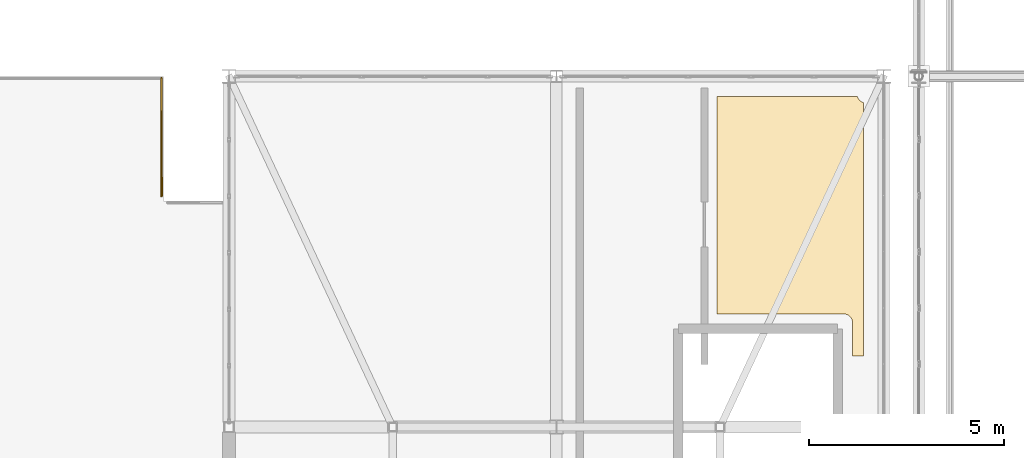
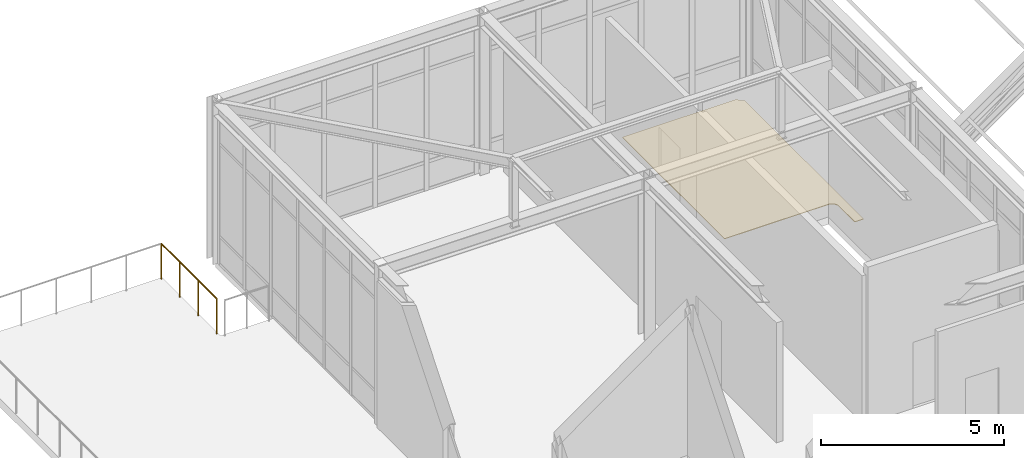
# One storey, part 121 of 121: 1 covering, 1 railing.
"""IFC4 building model written with IfcOpenShell, lengths in metres."""

import ifcopenshell
import ifcopenshell.guid

model = None  # the IFC model being written
_history = None  # IfcOwnerHistory: only IFC2X3 demands one
_inside = {}  # id of a spatial element -> (the spatial element, [elements in it])
_under = {}  # id of a project, library or spatial element -> (it, [spatial elements below it])
_declared = {}  # id of a project -> (the project, [libraries it declares])
_typed = {}  # id of a type object -> (the type object, [elements of that type])
_made_of = {}  # id of a material, layer set ... -> (it, [elements and type objects made of it])


def new_model(schema):
    """Start an empty IFC model of exactly this schema.

    Asked for "IFC4X3", IfcOpenShell would pick the latest addendum, in which some entities
    have other attributes; the version numbers below select the first issue.
    IFC2X3 requires an IfcOwnerHistory on every rooted entity: one is made here for all.
    """
    global model, _history
    if schema == "IFC4X3":
        model = ifcopenshell.file(schema_version=(4, 3, 0, 0))
    else:
        model = ifcopenshell.file(schema=schema)
    _inside.clear()
    _under.clear()
    _declared.clear()
    _typed.clear()
    _made_of.clear()
    _history = None
    if model.schema == "IFC2X3":
        org = make("IfcOrganization", Name="unknown")
        user = make(
            "IfcPersonAndOrganization",
            ThePerson=make("IfcPerson", FamilyName="unknown"),
            TheOrganization=org,
        )
        app = make(
            "IfcApplication",
            ApplicationDeveloper=org,
            Version="unknown",
            ApplicationFullName="unknown",
            ApplicationIdentifier="unknown",
        )
        _history = make(
            "IfcOwnerHistory",
            OwningUser=user,
            OwningApplication=app,
            ChangeAction="ADDED",
            CreationDate=0,
        )
    return model


def make(cls, **values):
    """One entity of the class cls with the attributes given. An attribute that is None is left unset."""
    return model.create_entity(
        cls, **{name: value for name, value in values.items() if value is not None}
    )


def rooted(cls, **values):
    """An entity with a GlobalId (a new one), such as an element, a storey or a relation."""
    return make(cls, GlobalId=ifcopenshell.guid.new(), OwnerHistory=_history, **values)


def si_unit(unit_type, name, prefix=None):
    """IfcSIUnit, for example si_unit("LENGTHUNIT", "METRE", prefix="MILLI")."""
    return make("IfcSIUnit", UnitType=unit_type, Prefix=prefix, Name=name)


def assignment(units):
    """IfcUnitAssignment: the units of a project."""
    return None if units is None else make("IfcUnitAssignment", Units=units)


def point(xyz):
    """IfcCartesianPoint."""
    return None if xyz is None else make("IfcCartesianPoint", Coordinates=xyz)


def direction(xyz):
    """IfcDirection."""
    return None if xyz is None else make("IfcDirection", DirectionRatios=xyz)


def frame(location, z_axis=None, x_axis=None):
    """IfcAxis2Placement3D, a coordinate frame: its origin and axes. An axis left out is left unset."""
    return make(
        "IfcAxis2Placement3D",
        Location=point(location),
        Axis=direction(z_axis),
        RefDirection=direction(x_axis),
    )


def frame_2d(location, x_axis=None):
    """IfcAxis2Placement2D, a coordinate frame in the plane: its origin and x axis."""
    return make(
        "IfcAxis2Placement2D", Location=point(location), RefDirection=direction(x_axis)
    )


def origin():
    """The frame at (0, 0, 0) with its axes left unset."""
    return frame((0.0, 0.0, 0.0))


def origin_2d():
    """The frame at (0, 0) in the plane with its x axis left unset."""
    return frame_2d((0.0, 0.0))


def place(relative_to, where):
    """IfcLocalPlacement: puts the frame where relative to a parent placement (None: the world)."""
    return make(
        "IfcLocalPlacement", PlacementRelTo=relative_to, RelativePlacement=where
    )


def context(
    kind, dimensions, precision=None, world=None, true_north=None, identifier=None
):
    """IfcGeometricRepresentationContext, for example the 3D "Model" context."""
    return make(
        "IfcGeometricRepresentationContext",
        ContextIdentifier=identifier,
        ContextType=kind,
        CoordinateSpaceDimension=dimensions,
        Precision=precision,
        WorldCoordinateSystem=world,
        TrueNorth=true_north,
    )


def subcontext(parent, identifier, kind, view, scale=None):
    """IfcGeometricRepresentationSubContext, for example "Body" below "Model"."""
    return make(
        "IfcGeometricRepresentationSubContext",
        ContextIdentifier=identifier,
        ContextType=kind,
        ParentContext=parent,
        TargetScale=scale,
        TargetView=view,
    )


def project(units=None, contexts=None):
    """IfcProject with its units and contexts."""
    return rooted(
        "IfcProject",
        Name="project",
        RepresentationContexts=contexts,
        UnitsInContext=assignment(units),
    )


def spatial(cls, under=None, at=None, **own):
    """A site, building, storey or space (cls), placed at a placement, below another one or the project."""
    s = rooted(cls, ObjectPlacement=at, **own)
    if under is not None:
        _under.setdefault(under.id(), (under, []))[1].append(s)
    return s


def polyline(points):
    """IfcPolyline through the points."""
    return make("IfcPolyline", Points=[point(p) for p in points])


def profile(cls, at=None, kind="AREA", **sizes):
    """A parametric profile (cls). Its sizes go by their IFC names, for example OverallWidth=200.0."""
    return make(cls, ProfileType=kind, Position=at, **sizes)


def circle(**sizes):
    """IfcCircleProfileDef."""
    return profile("IfcCircleProfileDef", **sizes)


def outline(outer, holes=None, kind="AREA"):
    """IfcArbitraryClosedProfileDef: a profile drawn as a closed curve; with holes, ...WithVoids."""
    if holes is None:
        return make("IfcArbitraryClosedProfileDef", ProfileType=kind, OuterCurve=outer)
    return make(
        "IfcArbitraryProfileDefWithVoids",
        ProfileType=kind,
        OuterCurve=outer,
        InnerCurves=holes,
    )


def extrude(swept, where, along, depth):
    """IfcExtrudedAreaSolid: the profile swept, set in the frame where, extruded along a direction by depth."""
    return make(
        "IfcExtrudedAreaSolid",
        SweptArea=swept,
        Position=where,
        ExtrudedDirection=direction(along),
        Depth=depth,
    )


def shape(context_of_items, identifier, shape_type, items):
    """IfcShapeRepresentation: the items that make up one representation, for example the "Body"."""
    return make(
        "IfcShapeRepresentation",
        ContextOfItems=context_of_items,
        RepresentationIdentifier=identifier,
        RepresentationType=shape_type,
        Items=items,
    )


def material(Name=None, Category=None):
    """IfcMaterial."""
    return make("IfcMaterial", Name=Name, Category=Category)


def layer(
    of_material, thickness, ventilated=None, Name=None, Category=None, Priority=None
):
    """IfcMaterialLayer: one layer of a wall or slab, of a material (None: an air gap)."""
    return make(
        "IfcMaterialLayer",
        Material=of_material,
        LayerThickness=thickness,
        IsVentilated=ventilated,
        Name=Name,
        Category=Category,
        Priority=Priority,
    )


def layer_set(layers, Name=None):
    """IfcMaterialLayerSet."""
    return make("IfcMaterialLayerSet", MaterialLayers=layers, LayerSetName=Name)


def made_of(thing, what):
    """Note that an element or type object is made of a material, layer set ...; save() writes the relation."""
    if what is not None:
        _made_of.setdefault(what.id(), (what, []))[1].append(thing)
    return thing


def type_object(cls, material=None, **own):
    """A type object (cls), such as IfcWallType, which elements share."""
    return made_of(rooted(cls, **own), material)


def element(
    cls,
    number,
    at=None,
    inside=None,
    cuts=None,
    type_object=None,
    material=None,
    context=None,
    identifier="Body",
    shape_type=None,
    held_by="IfcProductDefinitionShape",
    body=None,
    shapes=None,
    **own,
):
    """One element of the class cls, such as IfcWall. Its Tag is "e" and its number.

    at: its placement. inside: the storey or other place that contains it. cuts: it is an
    opening in that element (IfcRelVoidsElement). A single representation is given by context,
    identifier, shape_type and body (its items); several are given by shapes. held_by: the class
    of the entity that holds the representations. save() writes the other relations.
    """
    e = rooted(cls, Tag="e%d" % number, ObjectPlacement=at, **own)
    if body is not None:
        shapes = [shape(context, identifier, shape_type, body)]
    if shapes is not None:
        e.Representation = make(held_by, Representations=shapes)
    if inside is not None:
        _inside.setdefault(inside.id(), (inside, []))[1].append(e)
    if cuts is not None:
        rooted(
            "IfcRelVoidsElement", RelatingBuildingElement=cuts, RelatedOpeningElement=e
        )
    if type_object is not None:
        _typed.setdefault(type_object.id(), (type_object, []))[1].append(e)
    return made_of(e, material)


def aggregate(whole, parts):
    """IfcRelAggregates: a whole, such as a stair, and the parts it consists of."""
    return rooted("IfcRelAggregates", RelatingObject=whole, RelatedObjects=parts)


def save(model, path):
    """Write the relations noted so far, then the file.

    IfcRelAggregates (storeys below a building ...), IfcRelContainedInSpatialStructure (elements
    in a storey), IfcRelDefinesByType, IfcRelAssociatesMaterial and IfcRelDeclares: one each for
    every whole, place, type object, material and project.
    """
    for whole, parts in _under.values():
        aggregate(whole, parts)
    for where, things in _inside.values():
        rooted(
            "IfcRelContainedInSpatialStructure",
            RelatedElements=things,
            RelatingStructure=where,
        )
    for kind, things in _typed.values():
        rooted("IfcRelDefinesByType", RelatedObjects=things, RelatingType=kind)
    for what, things in _made_of.values():
        rooted("IfcRelAssociatesMaterial", RelatedObjects=things, RelatingMaterial=what)
    for by, libraries in _declared.values():
        rooted("IfcRelDeclares", RelatingContext=by, RelatedDefinitions=libraries)
    model.write(path)


model = new_model("IFC4")

# Units and contexts
model_context = context("Model", 3, precision=1e-05, world=origin(), true_north=direction((0.0, 1.0)))
body_context = subcontext(model_context, "Body", "Model", "MODEL_VIEW")
ifc_project = project(units=[si_unit("LENGTHUNIT", "METRE"), si_unit("AREAUNIT", "SQUARE_METRE"), si_unit("VOLUMEUNIT", "CUBIC_METRE"), si_unit("PLANEANGLEUNIT", "RADIAN"), si_unit("MASSUNIT", "GRAM", prefix="KILO")], contexts=[model_context])

# Site, building, storey
site_placement = place(None, origin())
site = spatial("IfcSite", under=ifc_project, at=site_placement, CompositionType="ELEMENT")
building_placement = place(site_placement, origin())
building = spatial("IfcBuilding", under=site, at=building_placement, Name="Canglan Escarpment Cableway Terminal", CompositionType="ELEMENT")
storey_placement = place(building_placement, frame((0.0, 0.0, 24.60009765625)))
storey = spatial("IfcBuildingStorey", under=building, at=storey_placement, Name="L05", CompositionType="ELEMENT", Elevation=24.60009765625)

# Covering
ifc_material_1 = material(Name="Honed Sichuan grey granite flooring", Category="masonry")
ifc_layer = layer(ifc_material_1, 0.02001953125, Name="Honed Sichuan grey granite flooring")
ifc_layer_set = layer_set([ifc_layer], Name="Honed Sichuan grey granite flooring")
covering_type = type_object("IfcCoveringType", Name="COV-FLR-GRANITE-20", PredefinedType="FLOORING", material=ifc_layer_set)
covering_placement = place(storey_placement, origin())
element("IfcCovering", 1, at=covering_placement, inside=storey, type_object=covering_type, Name="Bullwheel Brake Monitoring Room stone floor finish", PredefinedType="FLOORING", context=body_context, shape_type="SweptSolid", body=[
    extrude(outline(polyline([(135.919921875, 107.820068359375), (135.91796875, 107.820068359375), (135.916015625, 107.8203125), (135.914306640625, 107.82080078125), (135.912353515625, 107.821533203125), (135.91064453125, 107.822509765625), (135.908935546875, 107.823486328125), (135.9072265625, 107.824462890625), (135.906005859375, 107.825927734375), (135.904541015625, 107.827392578125), (135.9033203125, 107.828857421875), (135.90234375, 107.83056640625), (135.901611328125, 107.832275390625), (135.90087890625, 107.834228515625), (135.900390625, 107.836181640625), (135.900146484375, 107.837890625), (135.89990234375, 107.840087890625), (135.89990234375, 108.6796875), (135.89990234375, 108.68017578125), (135.89892578125, 108.701171875), (135.89892578125, 108.701904296875), (135.895751953125, 108.722412109375), (135.895751953125, 108.723388671875), (135.890625, 108.743408203125), (135.890380859375, 108.744384765625), (135.88330078125, 108.763671875), (135.883056640625, 108.7646484375), (135.874267578125, 108.783203125), (135.873779296875, 108.7841796875), (135.86328125, 108.8017578125), (135.862548828125, 108.802490234375), (135.850341796875, 108.819091796875), (135.849609375, 108.81982421875), (135.8359375, 108.835205078125), (135.835205078125, 108.8359375), (135.81982421875, 108.849609375), (135.819091796875, 108.850341796875), (135.802490234375, 108.862548828125), (135.8017578125, 108.86328125), (135.7841796875, 108.873779296875), (135.783203125, 108.874267578125), (135.7646484375, 108.883056640625), (135.763671875, 108.88330078125), (135.744384765625, 108.890380859375), (135.743408203125, 108.890625), (135.723388671875, 108.895751953125), (135.722412109375, 108.895751953125), (135.701904296875, 108.89892578125), (135.701171875, 108.89892578125), (135.68017578125, 108.89990234375), (135.6796875, 108.89990234375), (132.43994140625, 108.89990234375), (132.43798828125, 108.900146484375), (132.43603515625, 108.900390625), (132.43408203125, 108.90087890625), (132.432373046875, 108.901611328125), (132.4306640625, 108.90234375), (132.428955078125, 108.9033203125), (132.42724609375, 108.904541015625), (132.42578125, 108.906005859375), (132.424560546875, 108.9072265625), (132.42333984375, 108.908935546875), (132.42236328125, 108.91064453125), (132.42138671875, 108.912353515625), (132.4208984375, 108.914306640625), (132.42041015625, 108.916015625), (132.420166015625, 108.91796875), (132.419921875, 108.919921875), (132.419921875, 114.4599609375), (132.420166015625, 114.4619140625), (132.42041015625, 114.4638671875), (132.4208984375, 114.4658203125), (132.42138671875, 114.4677734375), (132.42236328125, 114.469482421875), (132.42333984375, 114.47119140625), (132.424560546875, 114.47265625), (132.42578125, 114.47412109375), (132.42724609375, 114.4755859375), (132.428955078125, 114.4765625), (132.4306640625, 114.4775390625), (132.432373046875, 114.478515625), (132.43408203125, 114.47900390625), (132.43603515625, 114.4794921875), (132.43798828125, 114.47998046875), (132.43994140625, 114.47998046875), (136.013916015625, 114.47998046875), (136.01611328125, 114.47998046875), (136.01806640625, 114.4794921875), (136.02001953125, 114.47900390625), (136.02197265625, 114.478271484375), (136.023681640625, 114.477294921875), (136.025390625, 114.476318359375), (136.027099609375, 114.47509765625), (136.028564453125, 114.4736328125), (136.02978515625, 114.47216796875), (136.031005859375, 114.470458984375), (136.031982421875, 114.468505859375), (136.03271484375, 114.466796875), (136.03662109375, 114.456298828125), (136.037109375, 114.455322265625), (136.0458984375, 114.436767578125), (136.046142578125, 114.435791015625), (136.056884765625, 114.418212890625), (136.057373046875, 114.41748046875), (136.069580078125, 114.40087890625), (136.0703125, 114.400146484375), (136.083984375, 114.384765625), (136.084716796875, 114.384033203125), (136.10009765625, 114.370361328125), (136.100830078125, 114.36962890625), (136.117431640625, 114.357421875), (136.1181640625, 114.356689453125), (136.135986328125, 114.34619140625), (136.13671875, 114.345703125), (136.155517578125, 114.3369140625), (136.15625, 114.336669921875), (136.166748046875, 114.332763671875), (136.16845703125, 114.33203125), (136.170166015625, 114.331298828125), (136.171630859375, 114.330078125), (136.173095703125, 114.3291015625), (136.174560546875, 114.32763671875), (136.17578125, 114.326416015625), (136.177001953125, 114.32470703125), (136.177734375, 114.322998046875), (136.1787109375, 114.3212890625), (136.17919921875, 114.319580078125), (136.1796875, 114.31787109375), (136.179931640625, 114.31591796875), (136.179931640625, 114.31396484375), (136.179931640625, 107.840087890625), (136.179931640625, 107.837890625), (136.1796875, 107.836181640625), (136.17919921875, 107.834228515625), (136.178466796875, 107.832275390625), (136.177490234375, 107.83056640625), (136.176513671875, 107.828857421875), (136.175537109375, 107.827392578125), (136.174072265625, 107.825927734375), (136.172607421875, 107.824462890625), (136.171142578125, 107.823486328125), (136.16943359375, 107.822509765625), (136.167724609375, 107.821533203125), (136.165771484375, 107.82080078125), (136.163818359375, 107.8203125), (136.162109375, 107.820068359375), (136.159912109375, 107.820068359375), (135.919921875, 107.820068359375)])), origin(), (0.0, 0.0, 1.0), 0.02001953125),
])

# Railing
ifc_material_2 = material(Name="Carved limestone and anodized bronze balustrade", Category="masonry")
railing_type = type_object("IfcRailingType", Name="RL-EXT-BALUSTRADE-1200", PredefinedType="BALUSTRADE", material=ifc_material_2)
railing_placement = place(storey_placement, frame((118.16796875, 114.949951171875, 0.0)))
element("IfcRailing", 2, at=railing_placement, inside=storey, type_object=railing_type, Name="Classical terrace balustrade guard GD-01 (L05)", PredefinedType="BALUSTRADE", context=body_context, shape_type="SweptSolid", body=[
    extrude(circle(Radius=0.02392578125, at=origin_2d()), frame((0.0, 0.0, 1.17578125), z_axis=(0.000646725815, -0.999999790873, 0.0), x_axis=(0.999999790873, 0.000646725815, 0.0)), (0.0, 0.0, 1.0), 3.02001953125),
    extrude(circle(Radius=0.02099609375, at=origin_2d()), origin(), (0.0, 0.0, 1.0), 1.15185546875),
    extrude(circle(Radius=0.02099609375, at=origin_2d()), frame((0.000732421875, -1.006591796875, 0.0)), (0.0, 0.0, 1.0), 1.15185546875),
    extrude(circle(Radius=0.02099609375, at=origin_2d()), frame((0.001220703125, -2.013427734375, 0.0)), (0.0, 0.0, 1.0), 1.15185546875),
    extrude(circle(Radius=0.02099609375, at=origin_2d()), frame((0.001953125, -3.02001953125, 0.0)), (0.0, 0.0, 1.0), 1.15185546875),
])

save(model, "model.ifc")
